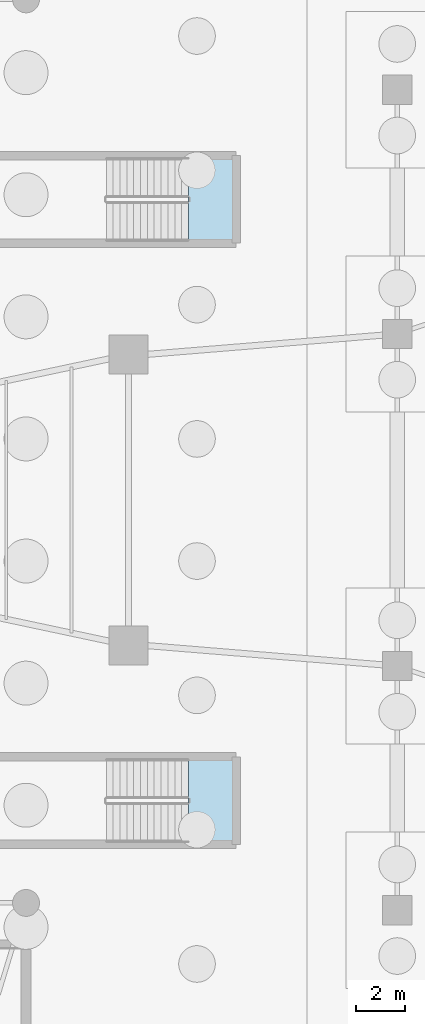
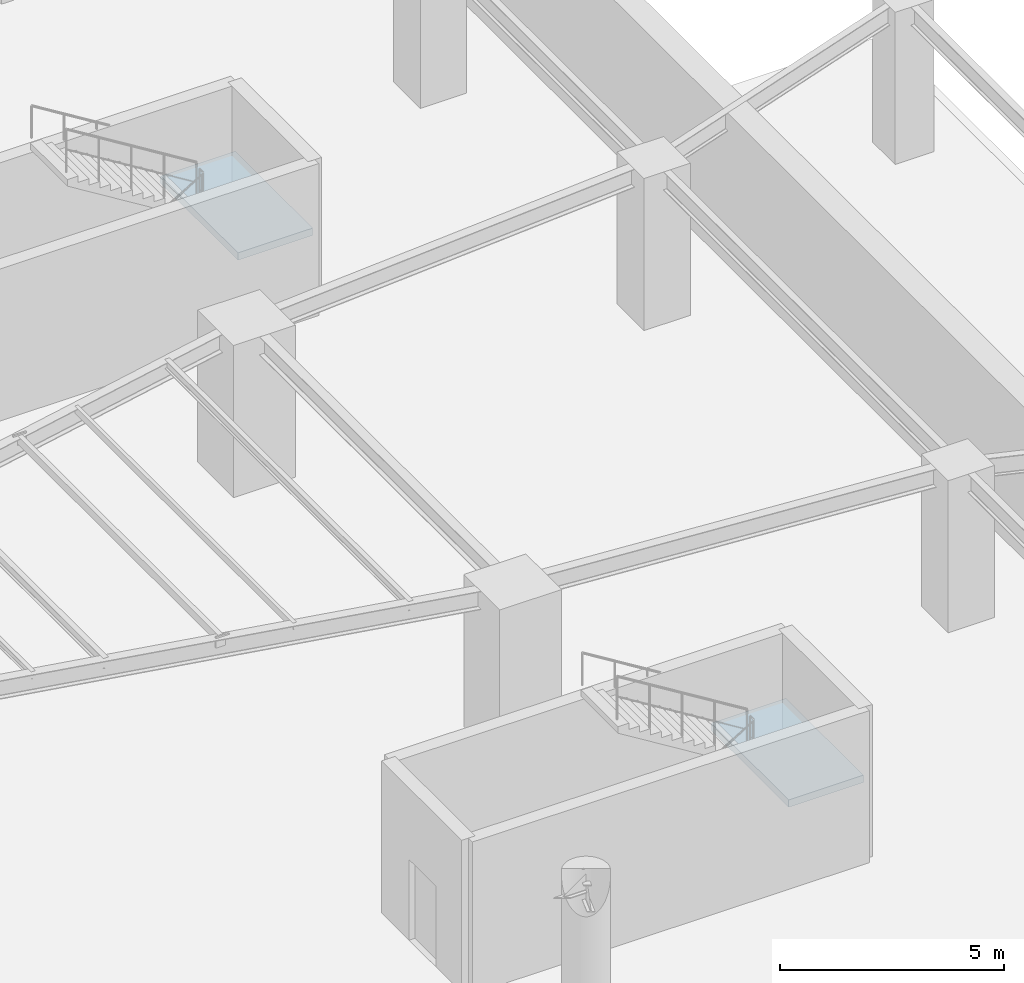
# One storey, part 5 of 15: 2 slabs, 2 elements without a shape of their own.
"""IFC4 building model written with IfcOpenShell, lengths in metres."""

from ifc_helpers import new_model, si_unit, direction, frame, origin, place, context, subcontext, project, spatial, polyline, outline, extrude, material, layer, layer_set, type_object, element, aggregate, save


model = new_model("IFC4")

# Units and contexts
model_context = context("Model", 3, precision=1e-05, world=origin(), true_north=direction((0.0, 1.0)))
body_context = subcontext(model_context, "Body", "Model", "MODEL_VIEW")
ifc_project = project(units=[si_unit("LENGTHUNIT", "METRE"), si_unit("AREAUNIT", "SQUARE_METRE"), si_unit("VOLUMEUNIT", "CUBIC_METRE"), si_unit("PLANEANGLEUNIT", "RADIAN"), si_unit("MASSUNIT", "GRAM", prefix="KILO")], contexts=[model_context])

# Site, building, storey
site_placement = place(None, origin())
site = spatial("IfcSite", under=ifc_project, at=site_placement, CompositionType="ELEMENT")
building_placement = place(site_placement, origin())
building = spatial("IfcBuilding", under=site, at=building_placement, Name="Sahyath Konkavel Grand Hotel", CompositionType="ELEMENT")
storey_placement = place(building_placement, frame((0.0, 0.0, -9.0)))
storey = spatial("IfcBuildingStorey", under=building, at=storey_placement, Name="B2", CompositionType="ELEMENT", Elevation=-9.0)

# Stair, slab
ifc_material = material(Name="Concrete C40/50", Category="concrete")
stair_type = type_object("IfcStairType", Name="STR-ST16-450", PredefinedType="HALF_TURN_STAIR", material=ifc_material)
stair_1_placement = place(storey_placement, origin())
stair_1 = element("IfcStair", 1, at=stair_1_placement, inside=storey, type_object=stair_type, Name="B2 Podium Protected Exit Stair ST-P2", PredefinedType="HALF_TURN_STAIR")
ifc_layer = layer(ifc_material, 0.199951171875)
ifc_layer_set = layer_set([ifc_layer], Name="Concrete C40/50")
slab_type = type_object("IfcSlabType", Name="SLB-STAIR-LND", PredefinedType="LANDING", material=ifc_layer_set)
slab_1_placement = place(storey_placement, frame((0.0, 0.0, 2.050048828125)))
slab_1 = element("IfcSlab", 2, at=slab_1_placement, type_object=slab_type, Name="ST-P2 landing 1", PredefinedType="LANDING", context=body_context, shape_type="SweptSolid", body=[
    extrude(outline(polyline([(24.64990234375, 10.580078125), (26.580078125, 10.580078125), (26.580078125, 14.0400390625), (24.64990234375, 14.0400390625), (24.64990234375, 10.580078125)])), origin(), (0.0, 0.0, 1.0), 0.199951171875),
])
aggregate(stair_1, [slab_1])

stair_2_placement = place(storey_placement, origin())
stair_2 = element("IfcStair", 3, at=stair_2_placement, inside=storey, type_object=stair_type, Name="B2 Podium Protected Exit Stair ST-P4", PredefinedType="HALF_TURN_STAIR")
slab_2_placement = place(storey_placement, frame((0.0, 0.0, 2.050048828125)))
slab_2 = element("IfcSlab", 4, at=slab_2_placement, type_object=slab_type, Name="ST-P4 landing 1", PredefinedType="LANDING", context=body_context, shape_type="SweptSolid", body=[
    extrude(outline(polyline([(24.64990234375, -14.0400390625), (26.580078125, -14.0400390625), (26.580078125, -10.580078125), (24.64990234375, -10.580078125), (24.64990234375, -14.0400390625)])), origin(), (0.0, 0.0, 1.0), 0.199951171875),
])
aggregate(stair_2, [slab_2])

save(model, "model.ifc")
